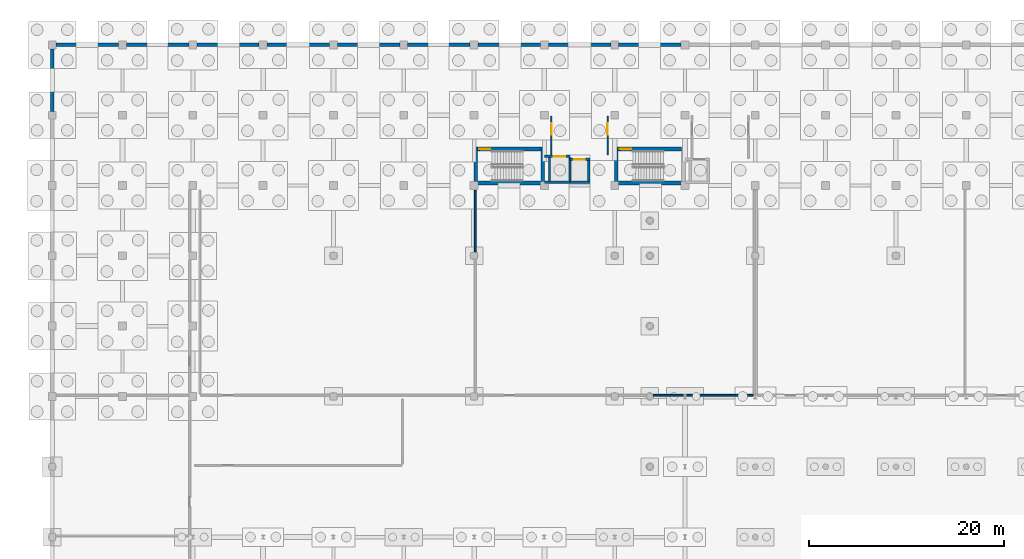
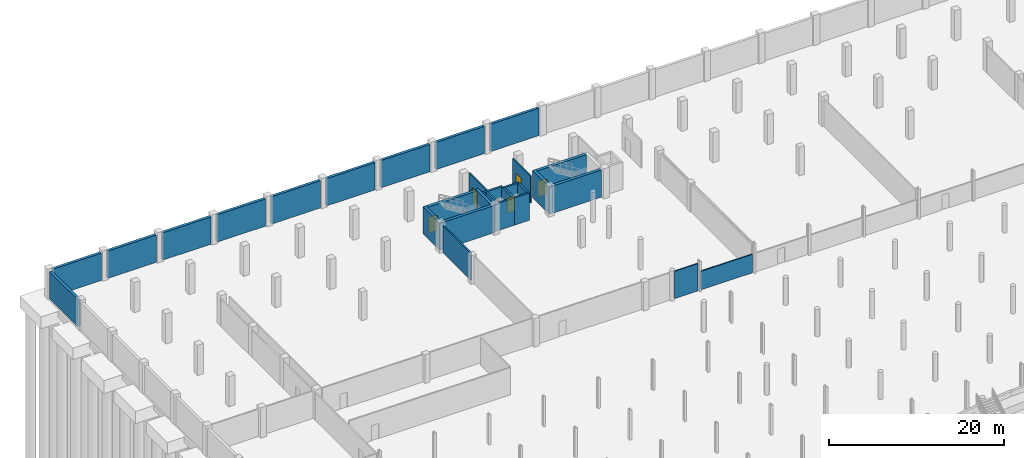
# One storey, part 43 of 56: 29 walls, 6 doors, 6 openings.
"""IFC4 building model written with IfcOpenShell, lengths in metres."""

from ifc_helpers import new_model, si_unit, direction, frame, frame_2d, origin, place, context, subcontext, project, spatial, rectangle, extrude, material, layer, layer_set, type_object, element, fill, save


model = new_model("IFC4")

# Units and contexts
model_context = context("Model", 3, precision=1e-05, world=origin(), true_north=direction((0.0, 1.0)))
body_context = subcontext(model_context, "Body", "Model", "MODEL_VIEW")
ifc_project = project(units=[si_unit("LENGTHUNIT", "METRE"), si_unit("AREAUNIT", "SQUARE_METRE"), si_unit("VOLUMEUNIT", "CUBIC_METRE"), si_unit("PLANEANGLEUNIT", "RADIAN"), si_unit("MASSUNIT", "GRAM", prefix="KILO")], contexts=[model_context])

# Site, building, storey
site_placement = place(None, origin())
site = spatial("IfcSite", under=ifc_project, at=site_placement, CompositionType="ELEMENT")
building_placement = place(site_placement, origin())
building = spatial("IfcBuilding", under=site, at=building_placement, Name="Suanplinth Sawtooth Commons", CompositionType="ELEMENT")
storey_placement = place(building_placement, frame((0.0, 0.0, -4.199951171875)))
storey = spatial("IfcBuildingStorey", under=building, at=storey_placement, Name="B1", CompositionType="ELEMENT", Elevation=-4.199951171875)

# Wall
ifc_material_1 = material(Name="Concrete C40/50", Category="concrete")
ifc_layer_1 = layer(ifc_material_1, 0.3798828125, Name="Lower high-rise RC core shear wall 380mm")
ifc_layer_set_1 = layer_set([ifc_layer_1], Name="Concrete C40/50")
wall_type_1 = type_object("IfcWallType", Name="W-CR01", PredefinedType="SHEAR", material=ifc_layer_set_1)
wall_1_placement = place(storey_placement, frame((43.550048828125, 108.260009765625, 0.0), z_axis=(0.0, 0.0, 1.0), x_axis=(1.0, 0.0, 0.0)))
element("IfcWall", 1, at=wall_1_placement, inside=storey, type_object=wall_type_1, Name="W-B1-C-A1-STS", PredefinedType="SHEAR", context=body_context, shape_type="SweptSolid", body=[
    extrude(rectangle(XDim=6.5, YDim=0.3798828125, at=frame_2d((3.25, 0.0))), origin(), (0.0, 0.0, 1.0), 3.7900390625),
])

# Wall, opening, door
wall_2_placement = place(storey_placement, frame((43.550048828125, 111.739990234375, 0.0), z_axis=(0.0, 0.0, 1.0), x_axis=(1.0, 0.0, 0.0)))
wall_2 = element("IfcWall", 2, at=wall_2_placement, inside=storey, type_object=wall_type_1, Name="W-B1-C-A1-STN", PredefinedType="SHEAR", context=body_context, shape_type="SweptSolid", body=[
    extrude(rectangle(XDim=6.5, YDim=0.3798828125, at=frame_2d((3.25, 0.0))), origin(), (0.0, 0.0, 1.0), 3.7900390625),
])
opening_1_placement = place(wall_2_placement, frame((0.179931640625, 0.0, 0.0)))
opening_1 = element("IfcOpeningElement", 3, at=opening_1_placement, cuts=wall_2, Name="Opening FD0001", PredefinedType="OPENING", context=body_context, shape_type="SweptSolid", body=[
    extrude(rectangle(XDim=1.14990234375, YDim=2.199951171875, at=frame_2d((0.574951171875, 1.10009765625))), frame((0.0, 0.204833984375, 0.0), z_axis=(0.0, -1.0, 0.0), x_axis=(1.0, 0.0, 0.0)), (0.0, 0.0, 1.0), 0.40966796875),
])
ifc_material_2 = material(Name="Teak hardwood fire-rated door assembly", Category="wood")
door_type_1 = type_object("IfcDoorType", Name="FD-01", OperationType="NOTDEFINED", PredefinedType="DOOR", material=ifc_material_2)
door_1_placement = place(opening_1_placement, frame((1.14990234375, 0.0, 0.0), z_axis=(0.0, 0.0, 1.0), x_axis=(-1.0, 0.0, 0.0)))
door_1 = element("IfcDoor", 4, at=door_1_placement, inside=storey, type_object=door_type_1, Name="Exit Stair Fire Door FD0001", OperationType="SINGLE_SWING_RIGHT", OverallHeight=2.199951171875, OverallWidth=1.14990234375, PredefinedType="DOOR", context=body_context, shape_type="SweptSolid", body=[
    extrude(rectangle(XDim=1.14990234375, YDim=2.199951171875, at=frame_2d((0.574951171875, 1.10009765625))), frame((0.0, 0.02490234375, 0.0), z_axis=(0.0, -1.0, 0.0), x_axis=(1.0, 0.0, 0.0)), (0.0, 0.0, 1.0), 0.050048828125),
])
fill(opening_1, door_1)

# Walls
for number, where, z_axis, x_axis, name in (
    (5, (43.360107421875, 108.070068359375, 0.0), (0.0, 0.0, 1.0), (0.0, 1.0, 0.0), "W-B1-C-A1-STW"),
    (6, (50.239990234375, 108.070068359375, 0.0), (0.0, 0.0, 1.0), (0.0, 1.0, 0.0), "W-B1-C-A1-STE"),
):
    element("IfcWall", number, at=place(storey_placement, frame(where, z_axis=z_axis, x_axis=x_axis)), inside=storey, type_object=wall_type_1, Name=name, PredefinedType="SHEAR", context=body_context, shape_type="SweptSolid", body=[
        extrude(rectangle(XDim=3.85986328125, YDim=0.3798828125, at=frame_2d((1.929931640625, 0.0))), origin(), (0.0, 0.0, 1.0), 3.7900390625),
    ])
wall_3_placement = place(storey_placement, frame((57.949951171875, 108.260009765625, 0.0), z_axis=(0.0, 0.0, 1.0), x_axis=(1.0, 0.0, 0.0)))
element("IfcWall", 7, at=wall_3_placement, inside=storey, type_object=wall_type_1, Name="W-B1-C-A2-STS", PredefinedType="SHEAR", context=body_context, shape_type="SweptSolid", body=[
    extrude(rectangle(XDim=6.5, YDim=0.3798828125, at=frame_2d((3.25, 0.0))), origin(), (0.0, 0.0, 1.0), 3.7900390625),
])

# Wall, opening, door
wall_4_placement = place(storey_placement, frame((57.949951171875, 111.739990234375, 0.0), z_axis=(0.0, 0.0, 1.0), x_axis=(1.0, 0.0, 0.0)))
wall_4 = element("IfcWall", 8, at=wall_4_placement, inside=storey, type_object=wall_type_1, Name="W-B1-C-A2-STN", PredefinedType="SHEAR", context=body_context, shape_type="SweptSolid", body=[
    extrude(rectangle(XDim=6.5, YDim=0.3798828125, at=frame_2d((3.25, 0.0))), origin(), (0.0, 0.0, 1.0), 3.7900390625),
])
opening_2_placement = place(wall_4_placement, frame((0.179931640625, 0.0, 0.0)))
opening_2 = element("IfcOpeningElement", 9, at=opening_2_placement, cuts=wall_4, Name="Opening FD0086", PredefinedType="OPENING", context=body_context, shape_type="SweptSolid", body=[
    extrude(rectangle(XDim=1.14990234375, YDim=2.199951171875, at=frame_2d((0.574951171875, 1.10009765625))), frame((0.0, 0.204833984375, 0.0), z_axis=(0.0, -1.0, 0.0), x_axis=(1.0, 0.0, 0.0)), (0.0, 0.0, 1.0), 0.40966796875),
])
door_2_placement = place(opening_2_placement, frame((1.14990234375, 0.0, 0.0), z_axis=(0.0, 0.0, 1.0), x_axis=(-1.0, 0.0, 0.0)))
door_2 = element("IfcDoor", 10, at=door_2_placement, inside=storey, type_object=door_type_1, Name="Exit Stair Fire Door FD0086", OperationType="SINGLE_SWING_LEFT", OverallHeight=2.199951171875, OverallWidth=1.14990234375, PredefinedType="DOOR", context=body_context, shape_type="SweptSolid", body=[
    extrude(rectangle(XDim=1.14990234375, YDim=2.199951171875, at=frame_2d((0.574951171875, 1.10009765625))), frame((0.0, 0.02490234375, 0.0), z_axis=(0.0, -1.0, 0.0), x_axis=(1.0, 0.0, 0.0)), (0.0, 0.0, 1.0), 0.050048828125),
])
fill(opening_2, door_2)

# Wall
wall_5_placement = place(storey_placement, frame((57.760009765625, 108.070068359375, 0.0), z_axis=(0.0, 0.0, 1.0), x_axis=(0.0, 1.0, 0.0)))
element("IfcWall", 11, at=wall_5_placement, inside=storey, type_object=wall_type_1, Name="W-B1-C-A2-STW", PredefinedType="SHEAR", context=body_context, shape_type="SweptSolid", body=[
    extrude(rectangle(XDim=3.85986328125, YDim=0.3798828125, at=frame_2d((1.929931640625, 0.0))), origin(), (0.0, 0.0, 1.0), 3.7900390625),
])

# Wall, opening, door
ifc_material_3 = material(Name="Precast concrete C40/50", Category="concrete")
ifc_layer_2 = layer(ifc_material_3, 0.159912109375, Name="Fire-rated corridor and lobby wall 160mm")
ifc_layer_set_2 = layer_set([ifc_layer_2], Name="Precast concrete C40/50")
wall_type_2 = type_object("IfcWallType", Name="W-FW01", PredefinedType="PARTITIONING", material=ifc_layer_set_2)
wall_6_placement = place(storey_placement, frame((51.1201171875, 111.10009765625, 0.0), z_axis=(0.0, 0.0, 1.0), x_axis=(0.0, 1.0, 0.0)))
wall_6 = element("IfcWall", 12, at=wall_6_placement, inside=storey, type_object=wall_type_2, Name="W-B1-C-A1-LOB-W", PredefinedType="PARTITIONING", context=body_context, shape_type="SweptSolid", body=[
    extrude(rectangle(XDim=4.02001953125, YDim=0.159912109375, at=frame_2d((2.010009765625, 0.0))), origin(), (0.0, 0.0, 1.0), 3.7900390625),
])
opening_3_placement = place(wall_6_placement, frame((2.10009765625, 0.0, 0.0)))
opening_3 = element("IfcOpeningElement", 13, at=opening_3_placement, cuts=wall_6, Name="Opening FD0002", PredefinedType="OPENING", context=body_context, shape_type="SweptSolid", body=[
    extrude(rectangle(XDim=1.199951171875, YDim=2.199951171875, at=frame_2d((0.60009765625, 1.10009765625))), frame((0.0, 0.0947265625, 0.0), z_axis=(0.0, -1.0, 0.0), x_axis=(1.0, 0.0, 0.0)), (0.0, 0.0, 1.0), 0.189697265625),
])
door_type_2 = type_object("IfcDoorType", Name="FD-02", OperationType="NOTDEFINED", PredefinedType="DOOR", material=ifc_material_2)
door_3_placement = place(opening_3_placement, origin())
door_3 = element("IfcDoor", 14, at=door_3_placement, inside=storey, type_object=door_type_2, Name="Lobby Fire Door FD0002", OperationType="SINGLE_SWING_LEFT", OverallHeight=2.199951171875, OverallWidth=1.199951171875, PredefinedType="DOOR", context=body_context, shape_type="SweptSolid", body=[
    extrude(rectangle(XDim=1.199951171875, YDim=2.199951171875, at=frame_2d((0.60009765625, 1.10009765625))), frame((0.0, 0.02490234375, 0.0), z_axis=(0.0, -1.0, 0.0), x_axis=(1.0, 0.0, 0.0)), (0.0, 0.0, 1.0), 0.050048828125),
])
fill(opening_3, door_3)

wall_7_placement = place(storey_placement, frame((56.8798828125, 111.10009765625, 0.0), z_axis=(0.0, 0.0, 1.0), x_axis=(0.0, 1.0, 0.0)))
wall_7 = element("IfcWall", 15, at=wall_7_placement, inside=storey, type_object=wall_type_2, Name="W-B1-C-A1-LOB-E", PredefinedType="PARTITIONING", context=body_context, shape_type="SweptSolid", body=[
    extrude(rectangle(XDim=4.02001953125, YDim=0.159912109375, at=frame_2d((2.010009765625, 0.0))), origin(), (0.0, 0.0, 1.0), 3.7900390625),
])
opening_4_placement = place(wall_7_placement, frame((2.10009765625, 0.0, 0.0)))
opening_4 = element("IfcOpeningElement", 16, at=opening_4_placement, cuts=wall_7, Name="Opening FD0003", PredefinedType="OPENING", context=body_context, shape_type="SweptSolid", body=[
    extrude(rectangle(XDim=1.199951171875, YDim=2.199951171875, at=frame_2d((0.60009765625, 1.10009765625))), frame((0.0, 0.0947265625, 0.0), z_axis=(0.0, -1.0, 0.0), x_axis=(1.0, 0.0, 0.0)), (0.0, 0.0, 1.0), 0.189697265625),
])
door_4_placement = place(opening_4_placement, frame((1.199951171875, 0.0, 0.0), z_axis=(0.0, 0.0, 1.0), x_axis=(-1.0, 0.0, 0.0)))
door_4 = element("IfcDoor", 17, at=door_4_placement, inside=storey, type_object=door_type_2, Name="Lobby Fire Door FD0003", OperationType="SINGLE_SWING_RIGHT", OverallHeight=2.199951171875, OverallWidth=1.199951171875, PredefinedType="DOOR", context=body_context, shape_type="SweptSolid", body=[
    extrude(rectangle(XDim=1.199951171875, YDim=2.199951171875, at=frame_2d((0.60009765625, 1.10009765625))), frame((0.0, 0.02490234375, 0.0), z_axis=(0.0, -1.0, 0.0), x_axis=(1.0, 0.0, 0.0)), (0.0, 0.0, 1.0), 0.050048828125),
])
fill(opening_4, door_4)

# Walls
wall_8_placement = place(storey_placement, frame((61.530029296875, 86.52001953125, 0.0), z_axis=(0.0, 0.0, 1.0), x_axis=(1.0, 0.0, 0.0)))
element("IfcWall", 18, at=wall_8_placement, inside=storey, type_object=wall_type_2, Name="W-B1-BULK-S-S3", PredefinedType="PARTITIONING", context=body_context, shape_type="SweptSolid", body=[
    extrude(rectangle(XDim=3.090087890625, YDim=0.159912109375, at=frame_2d((1.544921875, 0.0))), origin(), (0.0, 0.0, 1.0), 3.7900390625),
])
wall_9_placement = place(storey_placement, frame((64.97998046875, 86.52001953125, 0.0), z_axis=(0.0, 0.0, 1.0), x_axis=(1.0, 0.0, 0.0)))
element("IfcWall", 19, at=wall_9_placement, inside=storey, type_object=wall_type_2, Name="W-B1-BULK-S-S4", PredefinedType="PARTITIONING", context=body_context, shape_type="SweptSolid", body=[
    extrude(rectangle(XDim=6.820068359375, YDim=0.159912109375, at=frame_2d((3.41015625, 0.0))), origin(), (0.0, 0.0, 1.0), 2.574951171875),
])
wall_10_placement = place(storey_placement, frame((43.320068359375, 101.179931640625, 0.0), z_axis=(0.0, 0.0, 1.0), x_axis=(0.0, 1.0, 0.0)))
element("IfcWall", 20, at=wall_10_placement, inside=storey, type_object=wall_type_2, Name="W-B1-BULK-W-S2", PredefinedType="PARTITIONING", context=body_context, shape_type="SweptSolid", body=[
    extrude(rectangle(XDim=6.320068359375, YDim=0.159912109375, at=frame_2d((3.16015625, 0.0))), origin(), (0.0, 0.0, 1.0), 3.7900390625),
])
ifc_material_4 = material(Name="Concrete C35/45", Category="concrete")
ifc_layer_3 = layer(ifc_material_4, 0.35009765625, Name="Basement perimeter RC retaining wall 350mm")
ifc_layer_set_3 = layer_set([ifc_layer_3], Name="Concrete C35/45")
wall_type_3 = type_object("IfcWallType", Name="W-RT01", PredefinedType="SOLIDWALL", material=ifc_layer_set_3)
wall_11_placement = place(storey_placement, frame((0.39990234375, 122.39990234375, 0.0), z_axis=(0.0, 0.0, 1.0), x_axis=(1.0, 0.0, 0.0)))
element("IfcWall", 21, at=wall_11_placement, inside=storey, type_object=wall_type_3, Name="Basement North Retaining Wall Bay 1", PredefinedType="SOLIDWALL", context=body_context, shape_type="SweptSolid", body=[
    extrude(rectangle(XDim=6.400146484375, YDim=0.35009765625, at=frame_2d((3.2001953125, 0.0))), origin(), (0.0, 0.0, 1.0), 3.800048828125),
])
for number, where, z_axis, x_axis, name in (
    (22, (7.60009765625, 122.39990234375, 0.0), (0.0, 0.0, 1.0), (1.0, 0.0, 0.0), "Basement North Retaining Wall Bay 2"),
    (23, (14.800048828125, 122.39990234375, 0.0), (0.0, 0.0, 1.0), (1.0, 0.0, 0.0), "Basement North Retaining Wall Bay 3"),
    (24, (22.0, 122.39990234375, 0.0), (0.0, 0.0, 1.0), (1.0, 0.0, 0.0), "Basement North Retaining Wall Bay 4"),
):
    element("IfcWall", number, at=place(storey_placement, frame(where, z_axis=z_axis, x_axis=x_axis)), inside=storey, type_object=wall_type_3, Name=name, PredefinedType="SOLIDWALL", context=body_context, shape_type="SweptSolid", body=[
        extrude(rectangle(XDim=6.39990234375, YDim=0.35009765625, at=frame_2d((3.199951171875, 0.0))), origin(), (0.0, 0.0, 1.0), 3.800048828125),
    ])
for number, where, z_axis, x_axis, name in (
    (25, (29.199951171875, 122.39990234375, 0.0), (0.0, 0.0, 1.0), (1.0, 0.0, 0.0), "Basement North Retaining Wall Bay 5"),
    (26, (36.39990234375, 122.39990234375, 0.0), (0.0, 0.0, 1.0), (1.0, 0.0, 0.0), "Basement North Retaining Wall Bay 6"),
):
    element("IfcWall", number, at=place(storey_placement, frame(where, z_axis=z_axis, x_axis=x_axis)), inside=storey, type_object=wall_type_3, Name=name, PredefinedType="SOLIDWALL", context=body_context, shape_type="SweptSolid", body=[
        extrude(rectangle(XDim=6.400146484375, YDim=0.35009765625, at=frame_2d((3.2001953125, 0.0))), origin(), (0.0, 0.0, 1.0), 3.800048828125),
    ])
for number, where, z_axis, x_axis, name in (
    (27, (43.60009765625, 122.39990234375, 0.0), (0.0, 0.0, 1.0), (1.0, 0.0, 0.0), "Basement North Retaining Wall Bay 7"),
    (28, (50.800048828125, 122.39990234375, 0.0), (0.0, 0.0, 1.0), (1.0, 0.0, 0.0), "Basement North Retaining Wall Bay 8"),
    (29, (58.0, 122.39990234375, 0.0), (0.0, 0.0, 1.0), (1.0, 0.0, 0.0), "Basement North Retaining Wall Bay 9"),
    (30, (0.0, 115.60009765625, 0.0), (0.0, 0.0, 1.0), (0.0, 1.0, 0.0), "Basement West Plinth Retaining Wall Bay 17"),
):
    element("IfcWall", number, at=place(storey_placement, frame(where, z_axis=z_axis, x_axis=x_axis)), inside=storey, type_object=wall_type_3, Name=name, PredefinedType="SOLIDWALL", context=body_context, shape_type="SweptSolid", body=[
        extrude(rectangle(XDim=6.39990234375, YDim=0.35009765625, at=frame_2d((3.199951171875, 0.0))), origin(), (0.0, 0.0, 1.0), 3.800048828125),
    ])
ifc_layer_4 = layer(ifc_material_3, 0.25, Name="Precast structural shear wall 250mm")
ifc_layer_set_4 = layer_set([ifc_layer_4], Name="Precast concrete C40/50")
wall_type_4 = type_object("IfcWallType", Name="W-SH01", PredefinedType="SHEAR", material=ifc_layer_set_4)
wall_12_placement = place(storey_placement, frame((50.429931640625, 108.324951171875, 0.0), z_axis=(0.0, 0.0, 1.0), x_axis=(1.0, 0.0, 0.0)))
element("IfcWall", 31, at=wall_12_placement, inside=storey, type_object=wall_type_4, Name="W-B1-FL1-S", PredefinedType="SHEAR", context=body_context, shape_type="SweptSolid", body=[
    extrude(rectangle(XDim=2.594970703125, YDim=0.25, at=frame_2d((1.29736328125, 0.0))), origin(), (0.0, 0.0, 1.0), 3.7900390625),
])

# Wall, opening, door
wall_13_placement = place(storey_placement, frame((50.429931640625, 110.97509765625, 0.0), z_axis=(0.0, 0.0, 1.0), x_axis=(1.0, 0.0, 0.0)))
wall_13 = element("IfcWall", 32, at=wall_13_placement, inside=storey, type_object=wall_type_4, Name="W-B1-FL1-N", PredefinedType="SHEAR", context=body_context, shape_type="SweptSolid", body=[
    extrude(rectangle(XDim=2.594970703125, YDim=0.25, at=frame_2d((1.29736328125, 0.0))), origin(), (0.0, 0.0, 1.0), 3.7900390625),
])
opening_5_placement = place(wall_13_placement, frame((0.919921875, 0.0, 0.0)))
opening_5 = element("IfcOpeningElement", 33, at=opening_5_placement, cuts=wall_13, Name="Opening LD0004", PredefinedType="OPENING", context=body_context, shape_type="SweptSolid", body=[
    extrude(rectangle(XDim=1.199951171875, YDim=2.25, at=frame_2d((0.60009765625, 1.125))), frame((0.0, 0.139892578125, 0.0), z_axis=(0.0, -1.0, 0.0), x_axis=(1.0, 0.0, 0.0)), (0.0, 0.0, 1.0), 0.27978515625),
])
ifc_material_5 = material(Name="Stainless steel Grade 304", Category="steel")
door_type_3 = type_object("IfcDoorType", Name="LD-02", OperationType="SLIDING_TO_LEFT", PredefinedType="DOOR", material=ifc_material_5)
door_5_placement = place(opening_5_placement, origin())
door_5 = element("IfcDoor", 34, at=door_5_placement, inside=storey, type_object=door_type_3, Name="Lift Landing Sliding Door FL1 B1", OperationType="SLIDING_TO_LEFT", OverallHeight=2.25, OverallWidth=1.199951171875, PredefinedType="DOOR", context=body_context, shape_type="SweptSolid", body=[
    extrude(rectangle(XDim=1.199951171875, YDim=2.25, at=frame_2d((0.60009765625, 1.125))), frame((0.0, 0.02490234375, 0.0), z_axis=(0.0, -1.0, 0.0), x_axis=(1.0, 0.0, 0.0)), (0.0, 0.0, 1.0), 0.050048828125),
])
fill(opening_5, door_5)

# Walls
for number, where, z_axis, x_axis, name in (
    (35, (50.925048828125, 108.449951171875, 0.0), (0.0, 0.0, 1.0), (0.0, 1.0, 0.0), "W-B1-FL1-W"),
    (36, (53.02490234375, 108.449951171875, 0.0), (0.0, 0.0, 1.0), (0.0, 1.0, 0.0), "W-B1-FL1-DIV"),
):
    element("IfcWall", number, at=place(storey_placement, frame(where, z_axis=z_axis, x_axis=x_axis)), inside=storey, type_object=wall_type_4, Name=name, PredefinedType="SHEAR", context=body_context, shape_type="SweptSolid", body=[
        extrude(rectangle(XDim=2.400146484375, YDim=0.25, at=frame_2d((1.2001953125, 0.0))), origin(), (0.0, 0.0, 1.0), 3.7900390625),
    ])
wall_14_placement = place(storey_placement, frame((53.02490234375, 108.324951171875, 0.0), z_axis=(0.0, 0.0, 1.0), x_axis=(1.0, 0.0, 0.0)))
element("IfcWall", 37, at=wall_14_placement, inside=storey, type_object=wall_type_4, Name="W-B1-LF1-S", PredefinedType="SHEAR", context=body_context, shape_type="SweptSolid", body=[
    extrude(rectangle(XDim=2.025146484375, YDim=0.25, at=frame_2d((1.0126953125, 0.0))), origin(), (0.0, 0.0, 1.0), 3.7900390625),
])

# Wall, opening, door
wall_15_placement = place(storey_placement, frame((53.02490234375, 110.675048828125, 0.0), z_axis=(0.0, 0.0, 1.0), x_axis=(1.0, 0.0, 0.0)))
wall_15 = element("IfcWall", 38, at=wall_15_placement, inside=storey, type_object=wall_type_4, Name="W-B1-LF1-N", PredefinedType="SHEAR", context=body_context, shape_type="SweptSolid", body=[
    extrude(rectangle(XDim=2.025146484375, YDim=0.25, at=frame_2d((1.0126953125, 0.0))), origin(), (0.0, 0.0, 1.0), 3.7900390625),
])
opening_6_placement = place(wall_15_placement, frame((0.425048828125, 0.0, 0.0)))
opening_6 = element("IfcOpeningElement", 39, at=opening_6_placement, cuts=wall_15, Name="Opening LD0005", PredefinedType="OPENING", context=body_context, shape_type="SweptSolid", body=[
    extrude(rectangle(XDim=1.10009765625, YDim=2.14990234375, at=frame_2d((0.550048828125, 1.074951171875))), frame((0.0, 0.139892578125, 0.0), z_axis=(0.0, -1.0, 0.0), x_axis=(1.0, 0.0, 0.0)), (0.0, 0.0, 1.0), 0.27978515625),
])
door_type_4 = type_object("IfcDoorType", Name="LD-01", OperationType="SLIDING_TO_LEFT", PredefinedType="DOOR", material=ifc_material_5)
door_6_placement = place(opening_6_placement, origin())
door_6 = element("IfcDoor", 40, at=door_6_placement, inside=storey, type_object=door_type_4, Name="Lift Landing Sliding Door LF1 B1", OperationType="SLIDING_TO_LEFT", OverallHeight=2.14990234375, OverallWidth=1.10009765625, PredefinedType="DOOR", context=body_context, shape_type="SweptSolid", body=[
    extrude(rectangle(XDim=1.10009765625, YDim=2.14990234375, at=frame_2d((0.550048828125, 1.074951171875))), frame((0.0, 0.02490234375, 0.0), z_axis=(0.0, -1.0, 0.0), x_axis=(1.0, 0.0, 0.0)), (0.0, 0.0, 1.0), 0.050048828125),
])
fill(opening_6, door_6)

# Wall
wall_16_placement = place(storey_placement, frame((54.925048828125, 108.449951171875, 0.0), z_axis=(0.0, 0.0, 1.0), x_axis=(0.0, 1.0, 0.0)))
element("IfcWall", 41, at=wall_16_placement, inside=storey, type_object=wall_type_4, Name="W-B1-LF1-E", PredefinedType="SHEAR", context=body_context, shape_type="SweptSolid", body=[
    extrude(rectangle(XDim=2.10009765625, YDim=0.25, at=frame_2d((1.050048828125, 0.0))), origin(), (0.0, 0.0, 1.0), 3.7900390625),
])

save(model, "model.ifc")
